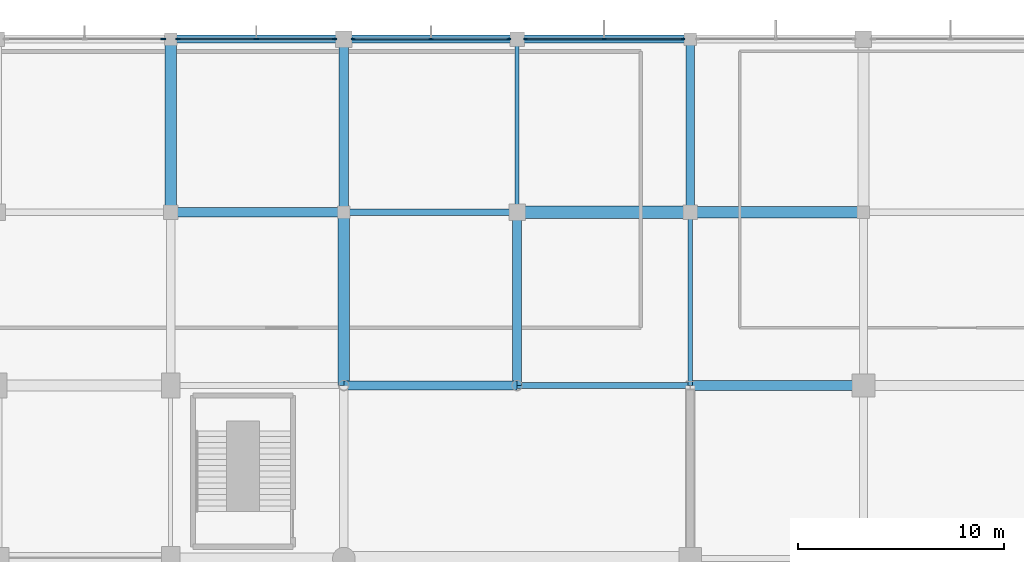
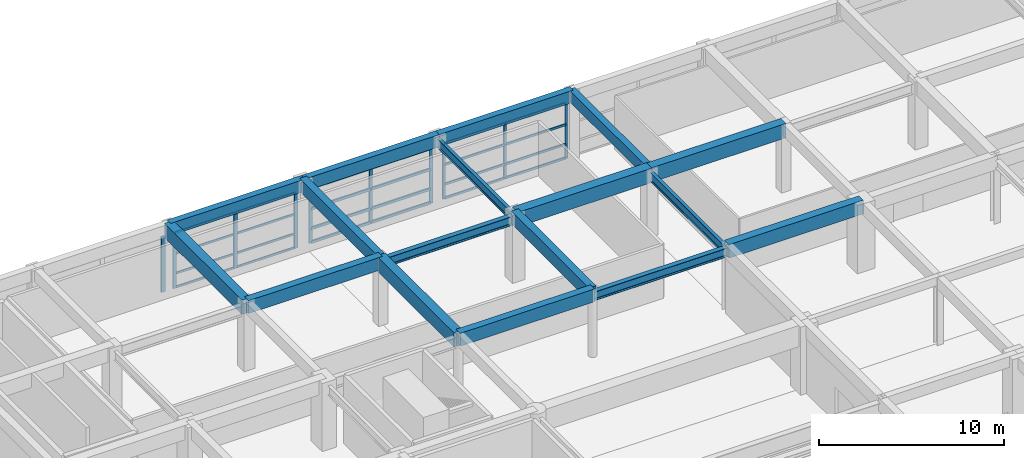
# One storey, part 25 of 56: 34 members, 17 beams, 4 elements without a shape of their own.
"""IFC4 building model written with IfcOpenShell, lengths in metres."""

from ifc_helpers import new_model, si_unit, direction, frame, origin, origin_2d, place, context, subcontext, project, spatial, rectangle, i_section, extrude, material, material_profile, profile_set, type_object, element, aggregate, save


model = new_model("IFC4")

# Units and contexts
model_context = context("Model", 3, precision=1e-05, world=origin(), true_north=direction((0.0, 1.0)))
body_context = subcontext(model_context, "Body", "Model", "MODEL_VIEW")
ifc_project = project(units=[si_unit("LENGTHUNIT", "METRE"), si_unit("AREAUNIT", "SQUARE_METRE"), si_unit("VOLUMEUNIT", "CUBIC_METRE"), si_unit("PLANEANGLEUNIT", "RADIAN"), si_unit("MASSUNIT", "GRAM", prefix="KILO")], contexts=[model_context])

# Site, building, storey
site_placement = place(None, origin())
site = spatial("IfcSite", under=ifc_project, at=site_placement, CompositionType="ELEMENT")
building_placement = place(site_placement, origin())
building = spatial("IfcBuilding", under=site, at=building_placement, Name="Xuanlan Plaza Opera House", CompositionType="ELEMENT")
storey_placement = place(building_placement, frame((0.0, 0.0, 18.89990234375)))
storey = spatial("IfcBuildingStorey", under=building, at=storey_placement, Name="L04", CompositionType="ELEMENT", Elevation=18.89990234375)

# Curtain wall, members
ifc_material_1 = material(Name="Anodised Aluminium 6063-T6 and Low-E Glass", Category="aluminium")
curtain_wall_type_1 = type_object("IfcCurtainWallType", Name="ENV-CW-CW-06", PredefinedType="USERDEFINED", material=ifc_material_1)
curtain_wall_1_placement = place(storey_placement, origin())
curtain_wall_1 = element("IfcCurtainWall", 1, at=curtain_wall_1_placement, inside=storey, type_object=curtain_wall_type_1, Name="Acoustic Glazed Wall L04-031", ObjectType="ACOUSTIC GLAZED WALL", PredefinedType="USERDEFINED")
ifc_material_2 = material(Name="Anodised Aluminium 6063-T6", Category="aluminium")
ifc_material_profile_1 = material_profile(ifc_material_2, rectangle(XDim=0.070068359375, YDim=0.179931640625, at=origin_2d()), Name="ALU-M 70x180")
ifc_profile_set_1 = profile_set([ifc_material_profile_1], Name="Anodised Aluminium 6063-T6")
member_type_1 = type_object("IfcMemberType", Name="ENV-CWM-02", PredefinedType="MULLION", material=ifc_profile_set_1)
member_1_placement = place(storey_placement, frame((125.64501953125, 100.800048828125, 0.0), z_axis=(0.0, 0.0, 1.0), x_axis=(0.0, -1.0, 0.0)))
member_1 = element("IfcMember", 2, at=member_1_placement, type_object=member_type_1, Name="CW-06 mullion 1", PredefinedType="MULLION", context=body_context, shape_type="SweptSolid", body=[
    extrude(rectangle(XDim=0.070068359375, YDim=0.179931640625, at=origin_2d()), origin(), (0.0, 0.0, 1.0), 3.68017578125),
])
member_2_placement = place(storey_placement, frame((121.824951171875, 100.800048828125, 0.0), z_axis=(0.0, 0.0, 1.0), x_axis=(0.0, -1.0, 0.0)))
member_2 = element("IfcMember", 3, at=member_2_placement, type_object=member_type_1, Name="CW-06 mullion 2", PredefinedType="MULLION", context=body_context, shape_type="SweptSolid", body=[
    extrude(rectangle(XDim=0.070068359375, YDim=0.179931640625, at=origin_2d()), origin(), (0.0, 0.0, 1.0), 3.68017578125),
])
member_3_placement = place(storey_placement, frame((118.0048828125, 100.800048828125, 0.0), z_axis=(0.0, 0.0, 1.0), x_axis=(0.0, -1.0, 0.0)))
member_3 = element("IfcMember", 4, at=member_3_placement, type_object=member_type_1, Name="CW-06 mullion 3", PredefinedType="MULLION", context=body_context, shape_type="SweptSolid", body=[
    extrude(rectangle(XDim=0.070068359375, YDim=0.179931640625, at=origin_2d()), origin(), (0.0, 0.0, 1.0), 3.68017578125),
])

curtain_wall_type_2 = type_object("IfcCurtainWallType", Name="ENV-CW-CW-05", PredefinedType="USERDEFINED", material=ifc_material_1)
curtain_wall_2_placement = place(storey_placement, origin())
curtain_wall_2 = element("IfcCurtainWall", 5, at=curtain_wall_2_placement, inside=storey, type_object=curtain_wall_type_2, Name="Acoustic Glazed Wall L04-032", ObjectType="ACOUSTIC GLAZED WALL", PredefinedType="USERDEFINED")
ifc_material_profile_2 = material_profile(ifc_material_2, rectangle(XDim=0.074951171875, YDim=0.199951171875, at=origin_2d()), Name="ALU-M 75x200")
ifc_profile_set_2 = profile_set([ifc_material_profile_2], Name="Anodised Aluminium 6063-T6")
member_type_2 = type_object("IfcMemberType", Name="ENV-CWM-03", PredefinedType="MULLION", material=ifc_profile_set_2)
member_4_placement = place(storey_placement, frame((117.1923828125, 100.800048828125, 0.0), z_axis=(0.0, 0.0, 1.0), x_axis=(0.0, -1.0, 0.0)))
member_4 = element("IfcMember", 6, at=member_4_placement, type_object=member_type_2, Name="CW-05 mullion 1", PredefinedType="MULLION", context=body_context, shape_type="SweptSolid", body=[
    extrude(rectangle(XDim=0.074951171875, YDim=0.199951171875, at=origin_2d()), origin(), (0.0, 0.0, 1.0), 3.68017578125),
])
member_5_placement = place(storey_placement, frame((113.425048828125, 100.800048828125, 0.0), z_axis=(0.0, 0.0, 1.0), x_axis=(0.0, -1.0, 0.0)))
member_5 = element("IfcMember", 7, at=member_5_placement, type_object=member_type_2, Name="CW-05 mullion 2", PredefinedType="MULLION", context=body_context, shape_type="SweptSolid", body=[
    extrude(rectangle(XDim=0.074951171875, YDim=0.199951171875, at=origin_2d()), origin(), (0.0, 0.0, 1.0), 3.68017578125),
])
member_6_placement = place(storey_placement, frame((109.657470703125, 100.800048828125, 0.0), z_axis=(0.0, 0.0, 1.0), x_axis=(0.0, -1.0, 0.0)))
member_6 = element("IfcMember", 8, at=member_6_placement, type_object=member_type_2, Name="CW-05 mullion 3", PredefinedType="MULLION", context=body_context, shape_type="SweptSolid", body=[
    extrude(rectangle(XDim=0.074951171875, YDim=0.199951171875, at=origin_2d()), origin(), (0.0, 0.0, 1.0), 3.68017578125),
])

curtain_wall_3_placement = place(storey_placement, origin())
curtain_wall_3 = element("IfcCurtainWall", 9, at=curtain_wall_3_placement, inside=storey, type_object=curtain_wall_type_1, Name="Acoustic Glazed Wall L04-033", ObjectType="ACOUSTIC GLAZED WALL", PredefinedType="USERDEFINED")
ifc_material_profile_3 = material_profile(ifc_material_2, rectangle(XDim=0.080078125, YDim=0.219970703125, at=origin_2d()), Name="ALU-M 80x220")
ifc_profile_set_3 = profile_set([ifc_material_profile_3], Name="Anodised Aluminium 6063-T6")
member_type_3 = type_object("IfcMemberType", Name="ENV-CWM-04", PredefinedType="MULLION", material=ifc_profile_set_3)
member_7_placement = place(storey_placement, frame((108.739990234375, 100.800048828125, 0.0), z_axis=(0.0, 0.0, 1.0), x_axis=(0.0, -1.0, 0.0)))
member_7 = element("IfcMember", 10, at=member_7_placement, type_object=member_type_3, Name="CW-06 mullion 1", PredefinedType="MULLION", context=body_context, shape_type="SweptSolid", body=[
    extrude(rectangle(XDim=0.080078125, YDim=0.219970703125, at=origin_2d()), origin(), (0.0, 0.0, 1.0), 3.68017578125),
])
member_8_placement = place(storey_placement, frame((104.949951171875, 100.800048828125, 0.0), z_axis=(0.0, 0.0, 1.0), x_axis=(0.0, -1.0, 0.0)))
member_8 = element("IfcMember", 11, at=member_8_placement, type_object=member_type_3, Name="CW-06 mullion 2", PredefinedType="MULLION", context=body_context, shape_type="SweptSolid", body=[
    extrude(rectangle(XDim=0.080078125, YDim=0.219970703125, at=origin_2d()), origin(), (0.0, 0.0, 1.0), 3.68017578125),
])
member_9_placement = place(storey_placement, frame((101.159912109375, 100.800048828125, 0.0), z_axis=(0.0, 0.0, 1.0), x_axis=(0.0, -1.0, 0.0)))
member_9 = element("IfcMember", 12, at=member_9_placement, type_object=member_type_3, Name="CW-06 mullion 3", PredefinedType="MULLION", context=body_context, shape_type="SweptSolid", body=[
    extrude(rectangle(XDim=0.080078125, YDim=0.219970703125, at=origin_2d()), origin(), (0.0, 0.0, 1.0), 3.68017578125),
])

# Curtain wall, member
curtain_wall_4_placement = place(storey_placement, origin())
curtain_wall_4 = element("IfcCurtainWall", 13, at=curtain_wall_4_placement, inside=storey, type_object=curtain_wall_type_2, Name="Acoustic Glazed Wall L04-034", ObjectType="ACOUSTIC GLAZED WALL", PredefinedType="USERDEFINED")
ifc_material_profile_4 = material_profile(ifc_material_2, rectangle(XDim=0.090087890625, YDim=0.25, at=origin_2d()), Name="ALU-M 90x250")
ifc_profile_set_4 = profile_set([ifc_material_profile_4], Name="Anodised Aluminium 6063-T6")
member_type_4 = type_object("IfcMemberType", Name="ENV-CWM-05", PredefinedType="MULLION", material=ifc_profile_set_4)
member_10_placement = place(storey_placement, frame((100.43505859375, 100.800048828125, 0.0), z_axis=(0.0, 0.0, 1.0), x_axis=(0.0, -1.0, 0.0)))
member_10 = element("IfcMember", 14, at=member_10_placement, type_object=member_type_4, Name="CW-05 mullion 1", PredefinedType="MULLION", context=body_context, shape_type="SweptSolid", body=[
    extrude(rectangle(XDim=0.090087890625, YDim=0.25, at=origin_2d()), origin(), (0.0, 0.0, 1.0), 3.68017578125),
])
aggregate(curtain_wall_4, [member_10])

# Member
ifc_material_profile_5 = material_profile(ifc_material_2, rectangle(XDim=0.070068359375, YDim=0.135009765625, at=origin_2d()), Name="ALU-T 70x135")
ifc_profile_set_5 = profile_set([ifc_material_profile_5], Name="Anodised Aluminium 6063-T6")
member_type_5 = type_object("IfcMemberType", Name="ENV-CWT-02", PredefinedType="USERDEFINED", material=ifc_profile_set_5)
member_11_placement = place(storey_placement, frame((108.699951171875, 100.800048828125, 0.03515625), z_axis=(-1.0, 0.0, 0.0), x_axis=(0.0, -1.0, 0.0)))
member_11 = element("IfcMember", 15, at=member_11_placement, type_object=member_type_5, Name="CW-06 transom 1.1", ObjectType="TRANSOM", PredefinedType="USERDEFINED", context=body_context, shape_type="SweptSolid", body=[
    extrude(rectangle(XDim=0.070068359375, YDim=0.135009765625, at=origin_2d()), origin(), (0.0, 0.0, 1.0), 3.7099609375),
])

member_12_placement = place(storey_placement, frame((108.699951171875, 100.800048828125, 0.9501953125), z_axis=(-1.0, 0.0, 0.0), x_axis=(0.0, -1.0, 0.0)))
member_12 = element("IfcMember", 16, at=member_12_placement, type_object=member_type_5, Name="CW-06 transom 1.2", ObjectType="TRANSOM", PredefinedType="USERDEFINED", context=body_context, shape_type="SweptSolid", body=[
    extrude(rectangle(XDim=0.070068359375, YDim=0.135009765625, at=origin_2d()), origin(), (0.0, 0.0, 1.0), 3.7099609375),
])

member_13_placement = place(storey_placement, frame((108.699951171875, 100.800048828125, 2.25), z_axis=(-1.0, 0.0, 0.0), x_axis=(0.0, -1.0, 0.0)))
member_13 = element("IfcMember", 17, at=member_13_placement, type_object=member_type_5, Name="CW-06 transom 1.3", ObjectType="TRANSOM", PredefinedType="USERDEFINED", context=body_context, shape_type="SweptSolid", body=[
    extrude(rectangle(XDim=0.070068359375, YDim=0.135009765625, at=origin_2d()), origin(), (0.0, 0.0, 1.0), 3.7099609375),
])

member_14_placement = place(storey_placement, frame((108.699951171875, 100.800048828125, 3.64501953125), z_axis=(-1.0, 0.0, 0.0), x_axis=(0.0, -1.0, 0.0)))
member_14 = element("IfcMember", 18, at=member_14_placement, type_object=member_type_5, Name="CW-06 transom 1.4", ObjectType="TRANSOM", PredefinedType="USERDEFINED", context=body_context, shape_type="SweptSolid", body=[
    extrude(rectangle(XDim=0.070068359375, YDim=0.135009765625, at=origin_2d()), origin(), (0.0, 0.0, 1.0), 3.7099609375),
])

member_15_placement = place(storey_placement, frame((104.909912109375, 100.800048828125, 0.03515625), z_axis=(-1.0, 0.0, 0.0), x_axis=(0.0, -1.0, 0.0)))
member_15 = element("IfcMember", 19, at=member_15_placement, type_object=member_type_5, Name="CW-06 transom 2.1", ObjectType="TRANSOM", PredefinedType="USERDEFINED", context=body_context, shape_type="SweptSolid", body=[
    extrude(rectangle(XDim=0.070068359375, YDim=0.135009765625, at=origin_2d()), origin(), (0.0, 0.0, 1.0), 3.7099609375),
])

member_16_placement = place(storey_placement, frame((104.909912109375, 100.800048828125, 0.9501953125), z_axis=(-1.0, 0.0, 0.0), x_axis=(0.0, -1.0, 0.0)))
member_16 = element("IfcMember", 20, at=member_16_placement, type_object=member_type_5, Name="CW-06 transom 2.2", ObjectType="TRANSOM", PredefinedType="USERDEFINED", context=body_context, shape_type="SweptSolid", body=[
    extrude(rectangle(XDim=0.070068359375, YDim=0.135009765625, at=origin_2d()), origin(), (0.0, 0.0, 1.0), 3.7099609375),
])

member_17_placement = place(storey_placement, frame((104.909912109375, 100.800048828125, 2.25), z_axis=(-1.0, 0.0, 0.0), x_axis=(0.0, -1.0, 0.0)))
member_17 = element("IfcMember", 21, at=member_17_placement, type_object=member_type_5, Name="CW-06 transom 2.3", ObjectType="TRANSOM", PredefinedType="USERDEFINED", context=body_context, shape_type="SweptSolid", body=[
    extrude(rectangle(XDim=0.070068359375, YDim=0.135009765625, at=origin_2d()), origin(), (0.0, 0.0, 1.0), 3.7099609375),
])

member_18_placement = place(storey_placement, frame((104.909912109375, 100.800048828125, 3.64501953125), z_axis=(-1.0, 0.0, 0.0), x_axis=(0.0, -1.0, 0.0)))
member_18 = element("IfcMember", 22, at=member_18_placement, type_object=member_type_5, Name="CW-06 transom 2.4", ObjectType="TRANSOM", PredefinedType="USERDEFINED", context=body_context, shape_type="SweptSolid", body=[
    extrude(rectangle(XDim=0.070068359375, YDim=0.135009765625, at=origin_2d()), origin(), (0.0, 0.0, 1.0), 3.7099609375),
])

aggregate(curtain_wall_3, [member_7, member_8, member_9, member_11, member_12, member_13, member_14, member_15, member_16, member_17, member_18])

ifc_material_profile_6 = material_profile(ifc_material_2, rectangle(XDim=0.074951171875, YDim=0.14990234375, at=origin_2d()), Name="ALU-T 75x150")
ifc_profile_set_6 = profile_set([ifc_material_profile_6], Name="Anodised Aluminium 6063-T6")
member_type_6 = type_object("IfcMemberType", Name="ENV-CWT-03", PredefinedType="USERDEFINED", material=ifc_profile_set_6)
member_19_placement = place(storey_placement, frame((125.610107421875, 100.800048828125, 0.03759765625), z_axis=(-1.0, 0.0, 0.0), x_axis=(0.0, -1.0, 0.0)))
member_19 = element("IfcMember", 23, at=member_19_placement, type_object=member_type_6, Name="CW-06 transom 1.1", ObjectType="TRANSOM", PredefinedType="USERDEFINED", context=body_context, shape_type="SweptSolid", body=[
    extrude(rectangle(XDim=0.074951171875, YDim=0.14990234375, at=origin_2d()), origin(), (0.0, 0.0, 1.0), 3.75),
])

member_20_placement = place(storey_placement, frame((125.610107421875, 100.800048828125, 0.9501953125), z_axis=(-1.0, 0.0, 0.0), x_axis=(0.0, -1.0, 0.0)))
member_20 = element("IfcMember", 24, at=member_20_placement, type_object=member_type_6, Name="CW-06 transom 1.2", ObjectType="TRANSOM", PredefinedType="USERDEFINED", context=body_context, shape_type="SweptSolid", body=[
    extrude(rectangle(XDim=0.074951171875, YDim=0.14990234375, at=origin_2d()), origin(), (0.0, 0.0, 1.0), 3.75),
])

member_21_placement = place(storey_placement, frame((125.610107421875, 100.800048828125, 2.25), z_axis=(-1.0, 0.0, 0.0), x_axis=(0.0, -1.0, 0.0)))
member_21 = element("IfcMember", 25, at=member_21_placement, type_object=member_type_6, Name="CW-06 transom 1.3", ObjectType="TRANSOM", PredefinedType="USERDEFINED", context=body_context, shape_type="SweptSolid", body=[
    extrude(rectangle(XDim=0.074951171875, YDim=0.14990234375, at=origin_2d()), origin(), (0.0, 0.0, 1.0), 3.75),
])

member_22_placement = place(storey_placement, frame((125.610107421875, 100.800048828125, 3.642578125), z_axis=(-1.0, 0.0, 0.0), x_axis=(0.0, -1.0, 0.0)))
member_22 = element("IfcMember", 26, at=member_22_placement, type_object=member_type_6, Name="CW-06 transom 1.4", ObjectType="TRANSOM", PredefinedType="USERDEFINED", context=body_context, shape_type="SweptSolid", body=[
    extrude(rectangle(XDim=0.074951171875, YDim=0.14990234375, at=origin_2d()), origin(), (0.0, 0.0, 1.0), 3.75),
])

member_23_placement = place(storey_placement, frame((121.7900390625, 100.800048828125, 0.03759765625), z_axis=(-1.0, 0.0, 0.0), x_axis=(0.0, -1.0, 0.0)))
member_23 = element("IfcMember", 27, at=member_23_placement, type_object=member_type_6, Name="CW-06 transom 2.1", ObjectType="TRANSOM", PredefinedType="USERDEFINED", context=body_context, shape_type="SweptSolid", body=[
    extrude(rectangle(XDim=0.074951171875, YDim=0.14990234375, at=origin_2d()), origin(), (0.0, 0.0, 1.0), 3.75),
])

member_24_placement = place(storey_placement, frame((121.7900390625, 100.800048828125, 0.9501953125), z_axis=(-1.0, 0.0, 0.0), x_axis=(0.0, -1.0, 0.0)))
member_24 = element("IfcMember", 28, at=member_24_placement, type_object=member_type_6, Name="CW-06 transom 2.2", ObjectType="TRANSOM", PredefinedType="USERDEFINED", context=body_context, shape_type="SweptSolid", body=[
    extrude(rectangle(XDim=0.074951171875, YDim=0.14990234375, at=origin_2d()), origin(), (0.0, 0.0, 1.0), 3.75),
])

member_25_placement = place(storey_placement, frame((121.7900390625, 100.800048828125, 2.25), z_axis=(-1.0, 0.0, 0.0), x_axis=(0.0, -1.0, 0.0)))
member_25 = element("IfcMember", 29, at=member_25_placement, type_object=member_type_6, Name="CW-06 transom 2.3", ObjectType="TRANSOM", PredefinedType="USERDEFINED", context=body_context, shape_type="SweptSolid", body=[
    extrude(rectangle(XDim=0.074951171875, YDim=0.14990234375, at=origin_2d()), origin(), (0.0, 0.0, 1.0), 3.75),
])

member_26_placement = place(storey_placement, frame((121.7900390625, 100.800048828125, 3.642578125), z_axis=(-1.0, 0.0, 0.0), x_axis=(0.0, -1.0, 0.0)))
member_26 = element("IfcMember", 30, at=member_26_placement, type_object=member_type_6, Name="CW-06 transom 2.4", ObjectType="TRANSOM", PredefinedType="USERDEFINED", context=body_context, shape_type="SweptSolid", body=[
    extrude(rectangle(XDim=0.074951171875, YDim=0.14990234375, at=origin_2d()), origin(), (0.0, 0.0, 1.0), 3.75),
])

aggregate(curtain_wall_1, [member_1, member_2, member_3, member_19, member_20, member_21, member_22, member_23, member_24, member_25, member_26])

ifc_material_profile_7 = material_profile(ifc_material_2, rectangle(XDim=0.090087890625, YDim=0.179931640625, at=origin_2d()), Name="ALU-T 90x180")
ifc_profile_set_7 = profile_set([ifc_material_profile_7], Name="Anodised Aluminium 6063-T6")
member_type_7 = type_object("IfcMemberType", Name="ENV-CWT-05", PredefinedType="USERDEFINED", material=ifc_profile_set_7)
member_27_placement = place(storey_placement, frame((117.155029296875, 100.800048828125, 0.045166015625), z_axis=(-1.0, 0.0, 0.0), x_axis=(0.0, -1.0, 0.0)))
member_27 = element("IfcMember", 31, at=member_27_placement, type_object=member_type_7, Name="CW-05 transom 1.1", ObjectType="TRANSOM", PredefinedType="USERDEFINED", context=body_context, shape_type="SweptSolid", body=[
    extrude(rectangle(XDim=0.090087890625, YDim=0.179931640625, at=origin_2d()), origin(), (0.0, 0.0, 1.0), 3.692626953125),
])

member_28_placement = place(storey_placement, frame((117.155029296875, 100.800048828125, 0.9501953125), z_axis=(-1.0, 0.0, 0.0), x_axis=(0.0, -1.0, 0.0)))
member_28 = element("IfcMember", 32, at=member_28_placement, type_object=member_type_7, Name="CW-05 transom 1.2", ObjectType="TRANSOM", PredefinedType="USERDEFINED", context=body_context, shape_type="SweptSolid", body=[
    extrude(rectangle(XDim=0.090087890625, YDim=0.179931640625, at=origin_2d()), origin(), (0.0, 0.0, 1.0), 3.692626953125),
])

member_29_placement = place(storey_placement, frame((117.155029296875, 100.800048828125, 2.25), z_axis=(-1.0, 0.0, 0.0), x_axis=(0.0, -1.0, 0.0)))
member_29 = element("IfcMember", 33, at=member_29_placement, type_object=member_type_7, Name="CW-05 transom 1.3", ObjectType="TRANSOM", PredefinedType="USERDEFINED", context=body_context, shape_type="SweptSolid", body=[
    extrude(rectangle(XDim=0.090087890625, YDim=0.179931640625, at=origin_2d()), origin(), (0.0, 0.0, 1.0), 3.692626953125),
])

member_30_placement = place(storey_placement, frame((117.155029296875, 100.800048828125, 3.635009765625), z_axis=(-1.0, 0.0, 0.0), x_axis=(0.0, -1.0, 0.0)))
member_30 = element("IfcMember", 34, at=member_30_placement, type_object=member_type_7, Name="CW-05 transom 1.4", ObjectType="TRANSOM", PredefinedType="USERDEFINED", context=body_context, shape_type="SweptSolid", body=[
    extrude(rectangle(XDim=0.090087890625, YDim=0.179931640625, at=origin_2d()), origin(), (0.0, 0.0, 1.0), 3.692626953125),
])

member_31_placement = place(storey_placement, frame((113.387451171875, 100.800048828125, 0.045166015625), z_axis=(-1.0, 0.0, 0.0), x_axis=(0.0, -1.0, 0.0)))
member_31 = element("IfcMember", 35, at=member_31_placement, type_object=member_type_7, Name="CW-05 transom 2.1", ObjectType="TRANSOM", PredefinedType="USERDEFINED", context=body_context, shape_type="SweptSolid", body=[
    extrude(rectangle(XDim=0.090087890625, YDim=0.179931640625, at=origin_2d()), origin(), (0.0, 0.0, 1.0), 3.6923828125),
])

member_32_placement = place(storey_placement, frame((113.387451171875, 100.800048828125, 0.9501953125), z_axis=(-1.0, 0.0, 0.0), x_axis=(0.0, -1.0, 0.0)))
member_32 = element("IfcMember", 36, at=member_32_placement, type_object=member_type_7, Name="CW-05 transom 2.2", ObjectType="TRANSOM", PredefinedType="USERDEFINED", context=body_context, shape_type="SweptSolid", body=[
    extrude(rectangle(XDim=0.090087890625, YDim=0.179931640625, at=origin_2d()), origin(), (0.0, 0.0, 1.0), 3.6923828125),
])

member_33_placement = place(storey_placement, frame((113.387451171875, 100.800048828125, 2.25), z_axis=(-1.0, 0.0, 0.0), x_axis=(0.0, -1.0, 0.0)))
member_33 = element("IfcMember", 37, at=member_33_placement, type_object=member_type_7, Name="CW-05 transom 2.3", ObjectType="TRANSOM", PredefinedType="USERDEFINED", context=body_context, shape_type="SweptSolid", body=[
    extrude(rectangle(XDim=0.090087890625, YDim=0.179931640625, at=origin_2d()), origin(), (0.0, 0.0, 1.0), 3.6923828125),
])

member_34_placement = place(storey_placement, frame((113.387451171875, 100.800048828125, 3.635009765625), z_axis=(-1.0, 0.0, 0.0), x_axis=(0.0, -1.0, 0.0)))
member_34 = element("IfcMember", 38, at=member_34_placement, type_object=member_type_7, Name="CW-05 transom 2.4", ObjectType="TRANSOM", PredefinedType="USERDEFINED", context=body_context, shape_type="SweptSolid", body=[
    extrude(rectangle(XDim=0.090087890625, YDim=0.179931640625, at=origin_2d()), origin(), (0.0, 0.0, 1.0), 3.6923828125),
])

aggregate(curtain_wall_2, [member_4, member_5, member_6, member_27, member_28, member_29, member_30, member_31, member_32, member_33, member_34])

# Beams
ifc_material_3 = material(Name="Concrete C50", Category="concrete")
ifc_material_profile_8 = material_profile(ifc_material_3, rectangle(XDim=0.60009765625, YDim=0.949951171875, at=origin_2d()), Name="RC-BM 600x950")
ifc_profile_set_8 = profile_set([ifc_material_profile_8], Name="Concrete C50")
beam_type_1 = type_object("IfcBeamType", Name="STR-BM-B-01", PredefinedType="BEAM", material=ifc_profile_set_8)
beam_1_placement = place(storey_placement, frame((117.60009765625, 92.39990234375, 4.025146484375), z_axis=(1.0, 0.0, 0.0), x_axis=(0.0, 1.0, 0.0)))
element("IfcBeam", 39, at=beam_1_placement, inside=storey, type_object=beam_type_1, Name="Grid Beam X L04 15-16/L", PredefinedType="BEAM", context=body_context, shape_type="SweptSolid", body=[
    extrude(rectangle(XDim=0.60009765625, YDim=0.949951171875, at=origin_2d()), origin(), (0.0, 0.0, 1.0), 8.39990234375),
])
ifc_material_profile_9 = material_profile(ifc_material_3, rectangle(XDim=0.550048828125, YDim=0.949951171875, at=origin_2d()), Name="RC-BM 550x950")
ifc_profile_set_9 = profile_set([ifc_material_profile_9], Name="Concrete C50")
beam_type_2 = type_object("IfcBeamType", Name="STR-BM-B-02", PredefinedType="BEAM", material=ifc_profile_set_9)
beam_2_placement = place(storey_placement, frame((126.0, 92.39990234375, 4.025146484375), z_axis=(1.0, 0.0, 0.0), x_axis=(0.0, 1.0, 0.0)))
element("IfcBeam", 40, at=beam_2_placement, inside=storey, type_object=beam_type_2, Name="Grid Beam X L04 16-17/L", PredefinedType="BEAM", context=body_context, shape_type="SweptSolid", body=[
    extrude(rectangle(XDim=0.550048828125, YDim=0.949951171875, at=origin_2d()), origin(), (0.0, 0.0, 1.0), 8.39990234375),
])
beam_3_placement = place(storey_placement, frame((100.800048828125, 92.39990234375, 4.025146484375), z_axis=(0.0, 1.0, 0.0), x_axis=(-1.0, 0.0, 0.0)))
element("IfcBeam", 41, at=beam_3_placement, inside=storey, type_object=beam_type_2, Name="Grid Beam Y L04 13/L-M", PredefinedType="BEAM", context=body_context, shape_type="SweptSolid", body=[
    extrude(rectangle(XDim=0.550048828125, YDim=0.949951171875, at=origin_2d()), origin(), (0.0, 0.0, 1.0), 8.400146484375),
])
beam_4_placement = place(storey_placement, frame((109.199951171875, 84.0, 4.025146484375), z_axis=(0.0, 1.0, 0.0), x_axis=(-1.0, 0.0, 0.0)))
element("IfcBeam", 42, at=beam_4_placement, inside=storey, type_object=beam_type_2, Name="Grid Beam Y L04 14/K-L", PredefinedType="BEAM", context=body_context, shape_type="SweptSolid", body=[
    extrude(rectangle(XDim=0.550048828125, YDim=0.949951171875, at=origin_2d()), origin(), (0.0, 0.0, 1.0), 8.39990234375),
])
ifc_material_4 = material(Name="Concrete C40", Category="concrete")
ifc_material_profile_10 = material_profile(ifc_material_4, rectangle(XDim=0.5, YDim=0.89990234375, at=origin_2d()), Name="RC-BM 500x900")
ifc_profile_set_10 = profile_set([ifc_material_profile_10], Name="Concrete C40")
beam_type_3 = type_object("IfcBeamType", Name="STR-BM-B-03", PredefinedType="BEAM", material=ifc_profile_set_10)
beam_5_placement = place(storey_placement, frame((126.0, 84.0, 4.050048828125), z_axis=(1.0, 0.0, 0.0), x_axis=(0.0, 1.0, 0.0)))
element("IfcBeam", 43, at=beam_5_placement, inside=storey, type_object=beam_type_3, Name="Grid Beam X L04 16-17/K", PredefinedType="BEAM", context=body_context, shape_type="SweptSolid", body=[
    extrude(rectangle(XDim=0.5, YDim=0.89990234375, at=origin_2d()), origin(), (0.0, 0.0, 1.0), 8.39990234375),
])
ifc_material_profile_11 = material_profile(ifc_material_4, rectangle(XDim=0.449951171875, YDim=0.85009765625, at=origin_2d()), Name="RC-BM 450x850")
ifc_profile_set_11 = profile_set([ifc_material_profile_11], Name="Concrete C40")
beam_type_4 = type_object("IfcBeamType", Name="STR-BM-B-04", PredefinedType="BEAM", material=ifc_profile_set_11)
beam_6_placement = place(storey_placement, frame((109.199951171875, 84.0, 4.0751953125), z_axis=(1.0, 0.0, 0.0), x_axis=(0.0, 1.0, 0.0)))
element("IfcBeam", 44, at=beam_6_placement, inside=storey, type_object=beam_type_4, Name="Grid Beam X L04 14-15/K", PredefinedType="BEAM", context=body_context, shape_type="SweptSolid", body=[
    extrude(rectangle(XDim=0.449951171875, YDim=0.85009765625, at=origin_2d()), origin(), (0.0, 0.0, 1.0), 8.400146484375),
])
beam_7_placement = place(storey_placement, frame((100.800048828125, 92.39990234375, 4.0751953125), z_axis=(1.0, 0.0, 0.0), x_axis=(0.0, 1.0, 0.0)))
element("IfcBeam", 45, at=beam_7_placement, inside=storey, type_object=beam_type_4, Name="Grid Beam X L04 13-14/L", PredefinedType="BEAM", context=body_context, shape_type="SweptSolid", body=[
    extrude(rectangle(XDim=0.449951171875, YDim=0.85009765625, at=origin_2d()), origin(), (0.0, 0.0, 1.0), 8.39990234375),
])
beam_8_placement = place(storey_placement, frame((109.199951171875, 92.39990234375, 4.0751953125), z_axis=(0.0, 1.0, 0.0), x_axis=(-1.0, 0.0, 0.0)))
element("IfcBeam", 46, at=beam_8_placement, inside=storey, type_object=beam_type_4, Name="Grid Beam Y L04 14/L-M", PredefinedType="BEAM", context=body_context, shape_type="SweptSolid", body=[
    extrude(rectangle(XDim=0.449951171875, YDim=0.85009765625, at=origin_2d()), origin(), (0.0, 0.0, 1.0), 8.400146484375),
])
beam_9_placement = place(storey_placement, frame((117.60009765625, 84.0, 4.0751953125), z_axis=(0.0, 1.0, 0.0), x_axis=(-1.0, 0.0, 0.0)))
element("IfcBeam", 47, at=beam_9_placement, inside=storey, type_object=beam_type_4, Name="Grid Beam Y L04 15/K-L", PredefinedType="BEAM", context=body_context, shape_type="SweptSolid", body=[
    extrude(rectangle(XDim=0.449951171875, YDim=0.85009765625, at=origin_2d()), origin(), (0.0, 0.0, 1.0), 8.39990234375),
])
ifc_material_profile_12 = material_profile(ifc_material_4, rectangle(XDim=0.39990234375, YDim=0.75, at=origin_2d()), Name="RC-BM 400x750")
ifc_profile_set_12 = profile_set([ifc_material_profile_12], Name="Concrete C40")
beam_type_5 = type_object("IfcBeamType", Name="STR-BM-B-06", PredefinedType="BEAM", material=ifc_profile_set_12)
beam_10_placement = place(storey_placement, frame((126.0, 92.39990234375, 4.125), z_axis=(0.0, 1.0, 0.0), x_axis=(-1.0, 0.0, 0.0)))
element("IfcBeam", 48, at=beam_10_placement, inside=storey, type_object=beam_type_5, Name="Grid Beam Y L04 16/L-M", PredefinedType="BEAM", context=body_context, shape_type="SweptSolid", body=[
    extrude(rectangle(XDim=0.39990234375, YDim=0.75, at=origin_2d()), origin(), (0.0, 0.0, 1.0), 8.400146484375),
])
ifc_material_5 = material(Name="Steel Q355B", Category="steel")
ifc_material_profile_13 = material_profile(ifc_material_5, i_section(OverallWidth=0.199951171875, OverallDepth=0.60009765625, WebThickness=0.010986328125, FlangeThickness=0.01708984375, FilletRadius=0.02197265625, at=origin_2d()), Name="HN 600x200x11x17")
ifc_profile_set_13 = profile_set([ifc_material_profile_13], Name="Steel Q355B")
beam_type_6 = type_object("IfcBeamType", Name="STR-BM-SB-04", PredefinedType="BEAM", material=ifc_profile_set_13)
beam_11_placement = place(storey_placement, frame((117.60009765625, 92.39990234375, 3.93505859375), z_axis=(0.0, 1.0, 0.0), x_axis=(-1.0, 0.0, 0.0)))
element("IfcBeam", 49, at=beam_11_placement, inside=storey, type_object=beam_type_6, Name="Grid Beam Y L04 15/L-M", PredefinedType="BEAM", context=body_context, shape_type="SweptSolid", body=[
    extrude(i_section(OverallWidth=0.199951171875, OverallDepth=0.60009765625, WebThickness=0.010986328125, FlangeThickness=0.01708984375, FilletRadius=0.02197265625, at=origin_2d()), origin(), (0.0, 0.0, 1.0), 8.400146484375),
])
beam_12_placement = place(storey_placement, frame((126.0, 84.0, 3.93505859375), z_axis=(0.0, 1.0, 0.0), x_axis=(-1.0, 0.0, 0.0)))
element("IfcBeam", 50, at=beam_12_placement, inside=storey, type_object=beam_type_6, Name="Grid Beam Y L04 16/K-L", PredefinedType="BEAM", context=body_context, shape_type="SweptSolid", body=[
    extrude(i_section(OverallWidth=0.199951171875, OverallDepth=0.60009765625, WebThickness=0.010986328125, FlangeThickness=0.01708984375, FilletRadius=0.02197265625, at=origin_2d()), origin(), (0.0, 0.0, 1.0), 8.39990234375),
])
ifc_material_profile_14 = material_profile(ifc_material_5, i_section(OverallWidth=0.300048828125, OverallDepth=0.587890625, WebThickness=0.011962890625, FlangeThickness=0.02001953125, FilletRadius=0.02392578125, at=origin_2d()), Name="HM 588x300x12x20")
ifc_profile_set_14 = profile_set([ifc_material_profile_14], Name="Steel Q355B")
beam_type_7 = type_object("IfcBeamType", Name="STR-BM-SB-06", PredefinedType="BEAM", material=ifc_profile_set_14)
beam_13_placement = place(storey_placement, frame((117.60009765625, 84.0, 3.941162109375), z_axis=(1.0, 0.0, 0.0), x_axis=(0.0, 1.0, 0.0)))
element("IfcBeam", 51, at=beam_13_placement, inside=storey, type_object=beam_type_7, Name="Grid Beam X L04 15-16/K", PredefinedType="BEAM", context=body_context, shape_type="SweptSolid", body=[
    extrude(i_section(OverallWidth=0.300048828125, OverallDepth=0.587890625, WebThickness=0.011962890625, FlangeThickness=0.02001953125, FilletRadius=0.02392578125, at=origin_2d()), origin(), (0.0, 0.0, 1.0), 8.39990234375),
])
beam_14_placement = place(storey_placement, frame((109.199951171875, 92.39990234375, 3.941162109375), z_axis=(1.0, 0.0, 0.0), x_axis=(0.0, 1.0, 0.0)))
element("IfcBeam", 52, at=beam_14_placement, inside=storey, type_object=beam_type_7, Name="Grid Beam X L04 14-15/L", PredefinedType="BEAM", context=body_context, shape_type="SweptSolid", body=[
    extrude(i_section(OverallWidth=0.300048828125, OverallDepth=0.587890625, WebThickness=0.011962890625, FlangeThickness=0.02001953125, FilletRadius=0.02392578125, at=origin_2d()), origin(), (0.0, 0.0, 1.0), 8.400146484375),
])
ifc_material_profile_15 = material_profile(ifc_material_4, rectangle(XDim=0.39990234375, YDim=0.800048828125, at=origin_2d()), Name="RC-SPD 400x800")
ifc_profile_set_15 = profile_set([ifc_material_profile_15], Name="Concrete C40")
beam_type_8 = type_object("IfcBeamType", Name="STR-BM-SP-01", PredefinedType="SPANDREL", material=ifc_profile_set_15)
beam_15_placement = place(storey_placement, frame((100.800048828125, 100.800048828125, 4.10009765625), z_axis=(1.0, 0.0, 0.0), x_axis=(0.0, 1.0, 0.0)))
element("IfcBeam", 53, at=beam_15_placement, inside=storey, type_object=beam_type_8, Name="Grid Beam X L04 13-14/M", PredefinedType="SPANDREL", context=body_context, shape_type="SweptSolid", body=[
    extrude(rectangle(XDim=0.39990234375, YDim=0.800048828125, at=origin_2d()), origin(), (0.0, 0.0, 1.0), 8.39990234375),
])
beam_16_placement = place(storey_placement, frame((109.199951171875, 100.800048828125, 4.10009765625), z_axis=(1.0, 0.0, 0.0), x_axis=(0.0, 1.0, 0.0)))
element("IfcBeam", 54, at=beam_16_placement, inside=storey, type_object=beam_type_8, Name="Grid Beam X L04 14-15/M", PredefinedType="SPANDREL", context=body_context, shape_type="SweptSolid", body=[
    extrude(rectangle(XDim=0.39990234375, YDim=0.800048828125, at=origin_2d()), origin(), (0.0, 0.0, 1.0), 8.400146484375),
])
beam_17_placement = place(storey_placement, frame((117.60009765625, 100.800048828125, 4.10009765625), z_axis=(1.0, 0.0, 0.0), x_axis=(0.0, 1.0, 0.0)))
element("IfcBeam", 55, at=beam_17_placement, inside=storey, type_object=beam_type_8, Name="Grid Beam X L04 15-16/M", PredefinedType="SPANDREL", context=body_context, shape_type="SweptSolid", body=[
    extrude(rectangle(XDim=0.39990234375, YDim=0.800048828125, at=origin_2d()), origin(), (0.0, 0.0, 1.0), 8.39990234375),
])

save(model, "model.ifc")
